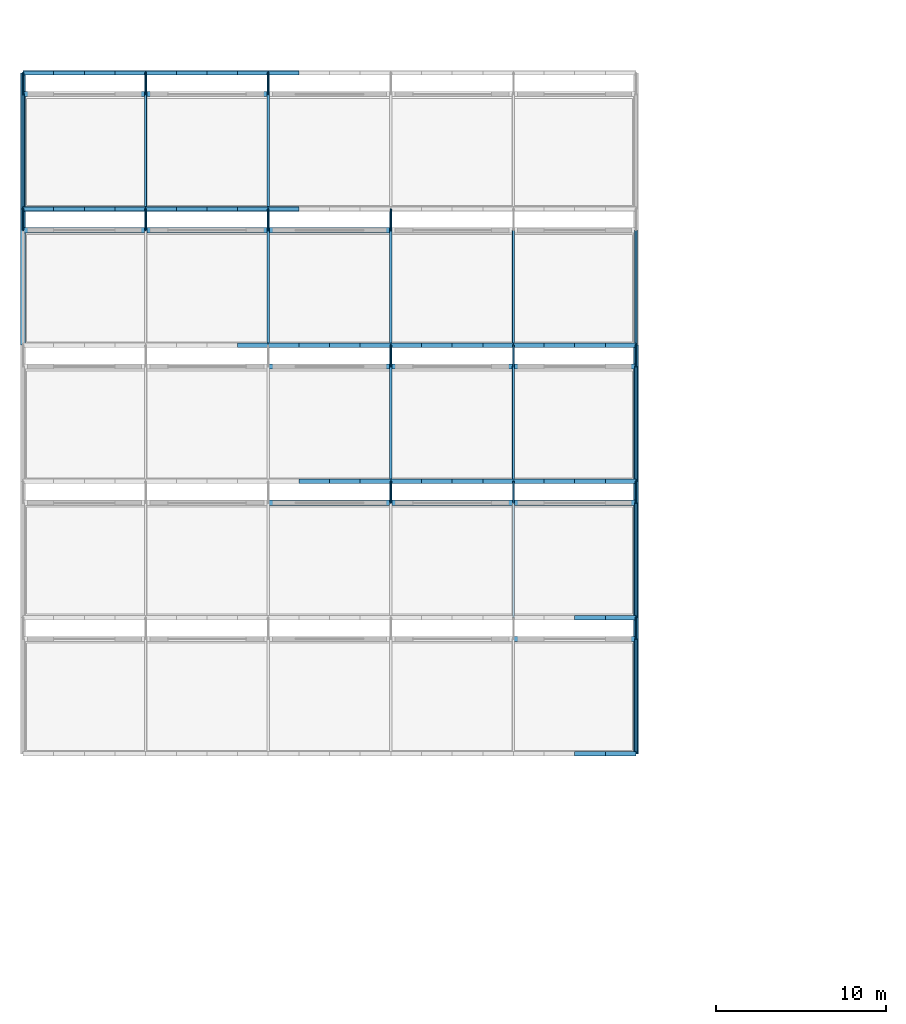
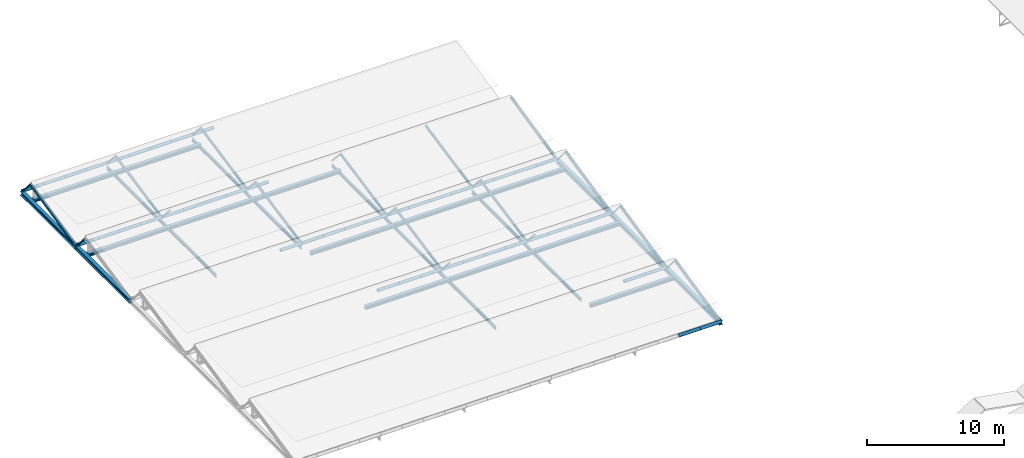
# One storey, part 33 of 54: 72 members, 26 beams.
"""IFC4 building model written with IfcOpenShell, lengths in metres."""

import ifcopenshell
import ifcopenshell.guid

model = None  # the IFC model being written
_history = None  # IfcOwnerHistory: only IFC2X3 demands one
_inside = {}  # id of a spatial element -> (the spatial element, [elements in it])
_under = {}  # id of a project, library or spatial element -> (it, [spatial elements below it])
_declared = {}  # id of a project -> (the project, [libraries it declares])
_typed = {}  # id of a type object -> (the type object, [elements of that type])
_made_of = {}  # id of a material, layer set ... -> (it, [elements and type objects made of it])


def new_model(schema):
    """Start an empty IFC model of exactly this schema.

    Asked for "IFC4X3", IfcOpenShell would pick the latest addendum, in which some entities
    have other attributes; the version numbers below select the first issue.
    IFC2X3 requires an IfcOwnerHistory on every rooted entity: one is made here for all.
    """
    global model, _history
    if schema == "IFC4X3":
        model = ifcopenshell.file(schema_version=(4, 3, 0, 0))
    else:
        model = ifcopenshell.file(schema=schema)
    _inside.clear()
    _under.clear()
    _declared.clear()
    _typed.clear()
    _made_of.clear()
    _history = None
    if model.schema == "IFC2X3":
        org = make("IfcOrganization", Name="unknown")
        user = make(
            "IfcPersonAndOrganization",
            ThePerson=make("IfcPerson", FamilyName="unknown"),
            TheOrganization=org,
        )
        app = make(
            "IfcApplication",
            ApplicationDeveloper=org,
            Version="unknown",
            ApplicationFullName="unknown",
            ApplicationIdentifier="unknown",
        )
        _history = make(
            "IfcOwnerHistory",
            OwningUser=user,
            OwningApplication=app,
            ChangeAction="ADDED",
            CreationDate=0,
        )
    return model


def make(cls, **values):
    """One entity of the class cls with the attributes given. An attribute that is None is left unset."""
    return model.create_entity(
        cls, **{name: value for name, value in values.items() if value is not None}
    )


def rooted(cls, **values):
    """An entity with a GlobalId (a new one), such as an element, a storey or a relation."""
    return make(cls, GlobalId=ifcopenshell.guid.new(), OwnerHistory=_history, **values)


def si_unit(unit_type, name, prefix=None):
    """IfcSIUnit, for example si_unit("LENGTHUNIT", "METRE", prefix="MILLI")."""
    return make("IfcSIUnit", UnitType=unit_type, Prefix=prefix, Name=name)


def derived_unit(unit_type, elements):
    """IfcDerivedUnit: a product of units, each with its exponent."""
    return make(
        "IfcDerivedUnit",
        Elements=[
            make("IfcDerivedUnitElement", Unit=unit, Exponent=power)
            for unit, power in elements
        ],
        UnitType=unit_type,
    )


def assignment(units):
    """IfcUnitAssignment: the units of a project."""
    return None if units is None else make("IfcUnitAssignment", Units=units)


def point(xyz):
    """IfcCartesianPoint."""
    return None if xyz is None else make("IfcCartesianPoint", Coordinates=xyz)


def direction(xyz):
    """IfcDirection."""
    return None if xyz is None else make("IfcDirection", DirectionRatios=xyz)


def frame(location, z_axis=None, x_axis=None):
    """IfcAxis2Placement3D, a coordinate frame: its origin and axes. An axis left out is left unset."""
    return make(
        "IfcAxis2Placement3D",
        Location=point(location),
        Axis=direction(z_axis),
        RefDirection=direction(x_axis),
    )


def frame_2d(location, x_axis=None):
    """IfcAxis2Placement2D, a coordinate frame in the plane: its origin and x axis."""
    return make(
        "IfcAxis2Placement2D", Location=point(location), RefDirection=direction(x_axis)
    )


def origin():
    """The frame at (0, 0, 0) with its axes left unset."""
    return frame((0.0, 0.0, 0.0))


def origin_2d():
    """The frame at (0, 0) in the plane with its x axis left unset."""
    return frame_2d((0.0, 0.0))


def place(relative_to, where):
    """IfcLocalPlacement: puts the frame where relative to a parent placement (None: the world)."""
    return make(
        "IfcLocalPlacement", PlacementRelTo=relative_to, RelativePlacement=where
    )


def context(
    kind, dimensions, precision=None, world=None, true_north=None, identifier=None
):
    """IfcGeometricRepresentationContext, for example the 3D "Model" context."""
    return make(
        "IfcGeometricRepresentationContext",
        ContextIdentifier=identifier,
        ContextType=kind,
        CoordinateSpaceDimension=dimensions,
        Precision=precision,
        WorldCoordinateSystem=world,
        TrueNorth=true_north,
    )


def subcontext(parent, identifier, kind, view, scale=None):
    """IfcGeometricRepresentationSubContext, for example "Body" below "Model"."""
    return make(
        "IfcGeometricRepresentationSubContext",
        ContextIdentifier=identifier,
        ContextType=kind,
        ParentContext=parent,
        TargetScale=scale,
        TargetView=view,
    )


def project(units=None, contexts=None):
    """IfcProject with its units and contexts."""
    return rooted(
        "IfcProject",
        Name="project",
        RepresentationContexts=contexts,
        UnitsInContext=assignment(units),
    )


def spatial(cls, under=None, at=None, **own):
    """A site, building, storey or space (cls), placed at a placement, below another one or the project."""
    s = rooted(cls, ObjectPlacement=at, **own)
    if under is not None:
        _under.setdefault(under.id(), (under, []))[1].append(s)
    return s


def profile(cls, at=None, kind="AREA", **sizes):
    """A parametric profile (cls). Its sizes go by their IFC names, for example OverallWidth=200.0."""
    return make(cls, ProfileType=kind, Position=at, **sizes)


def hollow_rectangle(**sizes):
    """IfcRectangleHollowProfileDef."""
    return profile("IfcRectangleHollowProfileDef", **sizes)


def hollow_circle(**sizes):
    """IfcCircleHollowProfileDef."""
    return profile("IfcCircleHollowProfileDef", **sizes)


def i_section(**sizes):
    """IfcIShapeProfileDef."""
    return profile("IfcIShapeProfileDef", **sizes)


def extrude(swept, where, along, depth):
    """IfcExtrudedAreaSolid: the profile swept, set in the frame where, extruded along a direction by depth."""
    return make(
        "IfcExtrudedAreaSolid",
        SweptArea=swept,
        Position=where,
        ExtrudedDirection=direction(along),
        Depth=depth,
    )


def shape(context_of_items, identifier, shape_type, items):
    """IfcShapeRepresentation: the items that make up one representation, for example the "Body"."""
    return make(
        "IfcShapeRepresentation",
        ContextOfItems=context_of_items,
        RepresentationIdentifier=identifier,
        RepresentationType=shape_type,
        Items=items,
    )


def material(Name=None, Category=None):
    """IfcMaterial."""
    return make("IfcMaterial", Name=Name, Category=Category)


def material_profile(
    of_material, cross_section, Name=None, Category=None, Priority=None
):
    """IfcMaterialProfile: a cross section and its material."""
    return make(
        "IfcMaterialProfile",
        Name=Name,
        Material=of_material,
        Profile=cross_section,
        Priority=Priority,
        Category=Category,
    )


def profile_set(profiles, Name=None, composite=None):
    """IfcMaterialProfileSet."""
    return make(
        "IfcMaterialProfileSet",
        Name=Name,
        MaterialProfiles=profiles,
        CompositeProfile=composite,
    )


def made_of(thing, what):
    """Note that an element or type object is made of a material, layer set ...; save() writes the relation."""
    if what is not None:
        _made_of.setdefault(what.id(), (what, []))[1].append(thing)
    return thing


def type_object(cls, material=None, **own):
    """A type object (cls), such as IfcWallType, which elements share."""
    return made_of(rooted(cls, **own), material)


def element(
    cls,
    number,
    at=None,
    inside=None,
    cuts=None,
    type_object=None,
    material=None,
    context=None,
    identifier="Body",
    shape_type=None,
    held_by="IfcProductDefinitionShape",
    body=None,
    shapes=None,
    **own,
):
    """One element of the class cls, such as IfcWall. Its Tag is "e" and its number.

    at: its placement. inside: the storey or other place that contains it. cuts: it is an
    opening in that element (IfcRelVoidsElement). A single representation is given by context,
    identifier, shape_type and body (its items); several are given by shapes. held_by: the class
    of the entity that holds the representations. save() writes the other relations.
    """
    e = rooted(cls, Tag="e%d" % number, ObjectPlacement=at, **own)
    if body is not None:
        shapes = [shape(context, identifier, shape_type, body)]
    if shapes is not None:
        e.Representation = make(held_by, Representations=shapes)
    if inside is not None:
        _inside.setdefault(inside.id(), (inside, []))[1].append(e)
    if cuts is not None:
        rooted(
            "IfcRelVoidsElement", RelatingBuildingElement=cuts, RelatedOpeningElement=e
        )
    if type_object is not None:
        _typed.setdefault(type_object.id(), (type_object, []))[1].append(e)
    return made_of(e, material)


def aggregate(whole, parts):
    """IfcRelAggregates: a whole, such as a stair, and the parts it consists of."""
    return rooted("IfcRelAggregates", RelatingObject=whole, RelatedObjects=parts)


def save(model, path):
    """Write the relations noted so far, then the file.

    IfcRelAggregates (storeys below a building ...), IfcRelContainedInSpatialStructure (elements
    in a storey), IfcRelDefinesByType, IfcRelAssociatesMaterial and IfcRelDeclares: one each for
    every whole, place, type object, material and project.
    """
    for whole, parts in _under.values():
        aggregate(whole, parts)
    for where, things in _inside.values():
        rooted(
            "IfcRelContainedInSpatialStructure",
            RelatedElements=things,
            RelatingStructure=where,
        )
    for kind, things in _typed.values():
        rooted("IfcRelDefinesByType", RelatedObjects=things, RelatingType=kind)
    for what, things in _made_of.values():
        rooted("IfcRelAssociatesMaterial", RelatedObjects=things, RelatingMaterial=what)
    for by, libraries in _declared.values():
        rooted("IfcRelDeclares", RelatingContext=by, RelatedDefinitions=libraries)
    model.write(path)


model = new_model("IFC4")

# Units and contexts
model_context = context("Model", 3, precision=1e-05, world=origin(), true_north=direction((0.0, 1.0)))
body_context = subcontext(model_context, "Body", "Model", "MODEL_VIEW")
ifc_project = project(units=[si_unit("LENGTHUNIT", "METRE"), si_unit("AREAUNIT", "SQUARE_METRE"), si_unit("VOLUMEUNIT", "CUBIC_METRE"), si_unit("PLANEANGLEUNIT", "RADIAN"), si_unit("MASSUNIT", "GRAM", prefix="KILO"), derived_unit("THERMALTRANSMITTANCEUNIT", [(si_unit("POWERUNIT", "WATT"), 1), (si_unit("LENGTHUNIT", "METRE"), -2), (si_unit("THERMODYNAMICTEMPERATUREUNIT", "KELVIN"), -1)])], contexts=[model_context])

# Site, building, storey
site_placement = place(None, origin())
site = spatial("IfcSite", under=ifc_project, at=site_placement, CompositionType="ELEMENT")
building_placement = place(site_placement, origin())
building = spatial("IfcBuilding", under=site, at=building_placement, Name="Keldorne Ridge Multi-Sports Centre", CompositionType="ELEMENT")
storey_placement = place(building_placement, frame((0.0, 0.0, 22.199951171875)))
storey = spatial("IfcBuildingStorey", under=building, at=storey_placement, Name="ROOF", CompositionType="ELEMENT", Elevation=22.199951171875)

# Beams
ifc_material = material(Name="Steel S355", Category="steel")
ifc_material_profile_1 = material_profile(ifc_material, i_section(OverallWidth=0.135009765625, OverallDepth=0.27001953125, WebThickness=0.006591796875, FlangeThickness=0.01025390625, FilletRadius=0.014892578125, at=origin_2d()), Name="IPE 270")
ifc_profile_set_1 = profile_set([ifc_material_profile_1], Name="Steel S355")
beam_type_1 = type_object("IfcBeamType", Name="BM-J-03", PredefinedType="JOIST", material=ifc_profile_set_1)
for number, where, z_axis, x_axis, name in (
    (1, (27.60009765625, 82.0, -6.429931640625), (0.0, 1.0, 0.0), (-1.0, 0.0, 0.0), "Sawtooth bay tie beam 2.4"),
    (2, (34.800048828125, 82.0, -6.429931640625), (0.0, 1.0, 0.0), (-1.0, 0.0, 0.0), "Sawtooth bay tie beam 2.5"),
    (3, (27.60009765625, 90.0, -6.429931640625), (0.0, 1.0, 0.0), (-1.0, 0.0, 0.0), "Sawtooth bay tie beam 3.4"),
    (4, (34.800048828125, 90.0, -6.429931640625), (0.0, 1.0, 0.0), (-1.0, 0.0, 0.0), "Sawtooth bay tie beam 3.5"),
    (5, (13.199951171875, 98.0, -6.429931640625), (0.0, 1.0, 0.0), (-1.0, 0.0, 0.0), "Sawtooth bay tie beam 4.2"),
    (6, (20.39990234375, 98.0, -6.429931640625), (0.0, 1.0, 0.0), (-1.0, 0.0, 0.0), "Sawtooth bay tie beam 4.3"),
    (7, (27.60009765625, 98.0, -6.429931640625), (0.0, 1.0, 0.0), (-1.0, 0.0, 0.0), "Sawtooth bay tie beam 4.4"),
    (8, (13.199951171875, 106.0, -6.429931640625), (0.0, 1.0, 0.0), (-1.0, 0.0, 0.0), "Sawtooth bay tie beam 5.2"),
    (9, (20.39990234375, 106.0, -6.429931640625), (0.0, 1.0, 0.0), (-1.0, 0.0, 0.0), "Sawtooth bay tie beam 5.3"),
):
    element("IfcBeam", number, at=place(storey_placement, frame(where, z_axis=z_axis, x_axis=x_axis)), inside=storey, type_object=beam_type_1, Name=name, PredefinedType="JOIST", context=body_context, shape_type="SweptSolid", body=[
        extrude(i_section(OverallWidth=0.135009765625, OverallDepth=0.27001953125, WebThickness=0.006591796875, FlangeThickness=0.01025390625, FilletRadius=0.014892578125, at=origin_2d()), origin(), (0.0, 0.0, 1.0), 8.0),
    ])
ifc_material_profile_2 = material_profile(ifc_material, i_section(OverallWidth=0.300048828125, OverallDepth=0.35009765625, WebThickness=0.010009765625, FlangeThickness=0.017578125, FilletRadius=0.027099609375, at=origin_2d()), Name="HEA 360")
ifc_profile_set_2 = profile_set([ifc_material_profile_2], Name="Steel S355")
beam_type_2 = type_object("IfcBeamType", Name="BM-SP-03", PredefinedType="SPANDREL", material=ifc_profile_set_2)
for number, where, z_axis, x_axis, name in (
    (10, (42.0, 74.0, -6.14990234375), (0.0, 1.0, 0.0), (-1.0, 0.0, 0.0), "Climbing roof edge beam 42.1"),
    (11, (42.0, 82.0, -6.14990234375), (0.0, 1.0, 0.0), (-1.0, 0.0, 0.0), "Climbing roof edge beam 42.2"),
    (12, (42.0, 90.0, -6.14990234375), (0.0, 1.0, 0.0), (-1.0, 0.0, 0.0), "Climbing roof edge beam 42.3"),
    (13, (6.0, 98.0, -6.14990234375), (0.0, 1.0, 0.0), (-1.0, 0.0, 0.0), "Climbing roof edge beam 6.4"),
    (14, (6.0, 106.0, -6.14990234375), (0.0, 1.0, 0.0), (-1.0, 0.0, 0.0), "Climbing roof edge beam 6.5"),
):
    element("IfcBeam", number, at=place(storey_placement, frame(where, z_axis=z_axis, x_axis=x_axis)), inside=storey, type_object=beam_type_2, Name=name, PredefinedType="SPANDREL", context=body_context, shape_type="SweptSolid", body=[
        extrude(i_section(OverallWidth=0.300048828125, OverallDepth=0.35009765625, WebThickness=0.010009765625, FlangeThickness=0.017578125, FilletRadius=0.027099609375, at=origin_2d()), origin(), (0.0, 0.0, 1.0), 8.0),
    ])
ifc_material_profile_3 = material_profile(ifc_material, i_section(OverallWidth=0.300048828125, OverallDepth=0.2900390625, WebThickness=0.008544921875, FlangeThickness=0.013916015625, FilletRadius=0.027099609375, at=origin_2d()), Name="HEA 300")
ifc_profile_set_3 = profile_set([ifc_material_profile_3], Name="Steel S355")
beam_type_3 = type_object("IfcBeamType", Name="BM-SP-04", PredefinedType="SPANDREL", material=ifc_profile_set_3)
beam_1_placement = place(storey_placement, frame((34.800048828125, 80.75, -6.14990234375), z_axis=(1.0, 0.0, 0.0), x_axis=(0.0, 1.0, 0.0)))
element("IfcBeam", 15, at=beam_1_placement, inside=storey, type_object=beam_type_3, Name="Sawtooth monitor sill beam 1.5", PredefinedType="SPANDREL", context=body_context, shape_type="SweptSolid", body=[
    extrude(i_section(OverallWidth=0.300048828125, OverallDepth=0.2900390625, WebThickness=0.008544921875, FlangeThickness=0.013916015625, FilletRadius=0.027099609375, at=origin_2d()), origin(), (0.0, 0.0, 1.0), 7.199951171875),
])
beam_2_placement = place(storey_placement, frame((20.39990234375, 88.75, -6.14990234375), z_axis=(1.0, 0.0, 0.0), x_axis=(0.0, 1.0, 0.0)))
element("IfcBeam", 16, at=beam_2_placement, inside=storey, type_object=beam_type_3, Name="Sawtooth monitor sill beam 2.3", PredefinedType="SPANDREL", context=body_context, shape_type="SweptSolid", body=[
    extrude(i_section(OverallWidth=0.300048828125, OverallDepth=0.2900390625, WebThickness=0.008544921875, FlangeThickness=0.013916015625, FilletRadius=0.027099609375, at=origin_2d()), origin(), (0.0, 0.0, 1.0), 7.2001953125),
])
for number, where, z_axis, x_axis, name in (
    (17, (27.60009765625, 88.75, -6.14990234375), (1.0, 0.0, 0.0), (0.0, 1.0, 0.0), "Sawtooth monitor sill beam 2.4"),
    (18, (34.800048828125, 88.75, -6.14990234375), (1.0, 0.0, 0.0), (0.0, 1.0, 0.0), "Sawtooth monitor sill beam 2.5"),
):
    element("IfcBeam", number, at=place(storey_placement, frame(where, z_axis=z_axis, x_axis=x_axis)), inside=storey, type_object=beam_type_3, Name=name, PredefinedType="SPANDREL", context=body_context, shape_type="SweptSolid", body=[
        extrude(i_section(OverallWidth=0.300048828125, OverallDepth=0.2900390625, WebThickness=0.008544921875, FlangeThickness=0.013916015625, FilletRadius=0.027099609375, at=origin_2d()), origin(), (0.0, 0.0, 1.0), 7.199951171875),
    ])
beam_3_placement = place(storey_placement, frame((20.39990234375, 96.75, -6.14990234375), z_axis=(1.0, 0.0, 0.0), x_axis=(0.0, 1.0, 0.0)))
element("IfcBeam", 19, at=beam_3_placement, inside=storey, type_object=beam_type_3, Name="Sawtooth monitor sill beam 3.3", PredefinedType="SPANDREL", context=body_context, shape_type="SweptSolid", body=[
    extrude(i_section(OverallWidth=0.300048828125, OverallDepth=0.2900390625, WebThickness=0.008544921875, FlangeThickness=0.013916015625, FilletRadius=0.027099609375, at=origin_2d()), origin(), (0.0, 0.0, 1.0), 7.2001953125),
])
for number, where, z_axis, x_axis, name in (
    (20, (27.60009765625, 96.75, -6.14990234375), (1.0, 0.0, 0.0), (0.0, 1.0, 0.0), "Sawtooth monitor sill beam 3.4"),
    (21, (34.800048828125, 96.75, -6.14990234375), (1.0, 0.0, 0.0), (0.0, 1.0, 0.0), "Sawtooth monitor sill beam 3.5"),
    (22, (6.0, 104.75, -6.14990234375), (1.0, 0.0, 0.0), (0.0, 1.0, 0.0), "Sawtooth monitor sill beam 4.1"),
    (23, (13.199951171875, 104.75, -6.14990234375), (1.0, 0.0, 0.0), (0.0, 1.0, 0.0), "Sawtooth monitor sill beam 4.2"),
):
    element("IfcBeam", number, at=place(storey_placement, frame(where, z_axis=z_axis, x_axis=x_axis)), inside=storey, type_object=beam_type_3, Name=name, PredefinedType="SPANDREL", context=body_context, shape_type="SweptSolid", body=[
        extrude(i_section(OverallWidth=0.300048828125, OverallDepth=0.2900390625, WebThickness=0.008544921875, FlangeThickness=0.013916015625, FilletRadius=0.027099609375, at=origin_2d()), origin(), (0.0, 0.0, 1.0), 7.199951171875),
    ])
beam_4_placement = place(storey_placement, frame((20.39990234375, 104.75, -6.14990234375), z_axis=(1.0, 0.0, 0.0), x_axis=(0.0, 1.0, 0.0)))
element("IfcBeam", 24, at=beam_4_placement, inside=storey, type_object=beam_type_3, Name="Sawtooth monitor sill beam 4.3", PredefinedType="SPANDREL", context=body_context, shape_type="SweptSolid", body=[
    extrude(i_section(OverallWidth=0.300048828125, OverallDepth=0.2900390625, WebThickness=0.008544921875, FlangeThickness=0.013916015625, FilletRadius=0.027099609375, at=origin_2d()), origin(), (0.0, 0.0, 1.0), 7.2001953125),
])
for number, where, z_axis, x_axis, name in (
    (25, (6.0, 112.75, -6.14990234375), (1.0, 0.0, 0.0), (0.0, 1.0, 0.0), "Sawtooth monitor sill beam 5.1"),
    (26, (13.199951171875, 112.75, -6.14990234375), (1.0, 0.0, 0.0), (0.0, 1.0, 0.0), "Sawtooth monitor sill beam 5.2"),
):
    element("IfcBeam", number, at=place(storey_placement, frame(where, z_axis=z_axis, x_axis=x_axis)), inside=storey, type_object=beam_type_3, Name=name, PredefinedType="SPANDREL", context=body_context, shape_type="SweptSolid", body=[
        extrude(i_section(OverallWidth=0.300048828125, OverallDepth=0.2900390625, WebThickness=0.008544921875, FlangeThickness=0.013916015625, FilletRadius=0.027099609375, at=origin_2d()), origin(), (0.0, 0.0, 1.0), 7.199951171875),
    ])

# Members
ifc_material_profile_4 = material_profile(ifc_material, hollow_rectangle(XDim=0.14990234375, YDim=0.199951171875, WallThickness=0.010009765625, InnerFilletRadius=0.010009765625, OuterFilletRadius=0.02001953125, at=origin_2d()), Name="RHS 200x150x10")
ifc_profile_set_4 = profile_set([ifc_material_profile_4], Name="Steel S355")
member_type_1 = type_object("IfcMemberType", Name="MEM-RF-01", PredefinedType="RAFTER", material=ifc_profile_set_4)
for number, where, z_axis, x_axis, name in (
    (27, (42.0, 74.0, -6.14990234375), (0.0, 0.976187060184, 0.216930457819), (-1.0, 0.0, 0.0), "Sawtooth raked rafter 1.6"),
    (28, (42.0, 82.0, -6.14990234375), (0.0, 0.976187060184, 0.216930457819), (-1.0, 0.0, 0.0), "Sawtooth raked rafter 2.6"),
):
    element("IfcMember", number, at=place(storey_placement, frame(where, z_axis=z_axis, x_axis=x_axis)), inside=storey, type_object=member_type_1, Name=name, PredefinedType="RAFTER", context=body_context, shape_type="SweptSolid", body=[
        extrude(hollow_rectangle(XDim=0.14990234375, YDim=0.199951171875, WallThickness=0.010009765625, InnerFilletRadius=0.010009765625, OuterFilletRadius=0.02001953125, at=origin_2d()), origin(), (0.0, 0.0, 1.0), 6.91455078125),
    ])
for number, where, z_axis, x_axis, name in (
    (29, (27.60009765625, 90.0, -6.02001953125), (0.0, 0.980014968918, 0.198923755988), (-1.0, 0.0, 0.0), "Sawtooth raked rafter 3.4"),
    (30, (34.800048828125, 90.0, -6.02001953125), (0.0, 0.980014968918, 0.198923755988), (-1.0, 0.0, 0.0), "Sawtooth raked rafter 3.5"),
):
    element("IfcMember", number, at=place(storey_placement, frame(where, z_axis=z_axis, x_axis=x_axis)), inside=storey, type_object=member_type_1, Name=name, PredefinedType="RAFTER", context=body_context, shape_type="SweptSolid", body=[
        extrude(hollow_rectangle(XDim=0.14990234375, YDim=0.199951171875, WallThickness=0.010009765625, InnerFilletRadius=0.010009765625, OuterFilletRadius=0.02001953125, at=origin_2d()), origin(), (0.0, 0.0, 1.0), 6.8876953125),
    ])
member_1_placement = place(storey_placement, frame((42.0, 90.0, -6.14990234375), z_axis=(0.0, 0.976187060184, 0.216930457819), x_axis=(-1.0, 0.0, 0.0)))
element("IfcMember", 31, at=member_1_placement, inside=storey, type_object=member_type_1, Name="Sawtooth raked rafter 3.6", PredefinedType="RAFTER", context=body_context, shape_type="SweptSolid", body=[
    extrude(hollow_rectangle(XDim=0.14990234375, YDim=0.199951171875, WallThickness=0.010009765625, InnerFilletRadius=0.010009765625, OuterFilletRadius=0.02001953125, at=origin_2d()), origin(), (0.0, 0.0, 1.0), 6.91455078125),
])
for number, where, z_axis, x_axis, name in (
    (32, (20.39990234375, 98.0, -6.02001953125), (0.0, 0.980014968918, 0.198923755988), (-1.0, 0.0, 0.0), "Sawtooth raked rafter 4.3"),
    (33, (27.60009765625, 98.0, -6.02001953125), (0.0, 0.980014968918, 0.198923755988), (-1.0, 0.0, 0.0), "Sawtooth raked rafter 4.4"),
    (34, (34.800048828125, 98.0, -6.02001953125), (0.0, 0.980014968918, 0.198923755988), (-1.0, 0.0, 0.0), "Sawtooth raked rafter 4.5"),
):
    element("IfcMember", number, at=place(storey_placement, frame(where, z_axis=z_axis, x_axis=x_axis)), inside=storey, type_object=member_type_1, Name=name, PredefinedType="RAFTER", context=body_context, shape_type="SweptSolid", body=[
        extrude(hollow_rectangle(XDim=0.14990234375, YDim=0.199951171875, WallThickness=0.010009765625, InnerFilletRadius=0.010009765625, OuterFilletRadius=0.02001953125, at=origin_2d()), origin(), (0.0, 0.0, 1.0), 6.8876953125),
    ])
for number, where, z_axis, x_axis, name in (
    (35, (42.0, 98.0, -6.14990234375), (0.0, 0.976187060184, 0.216930457819), (-1.0, 0.0, 0.0), "Sawtooth raked rafter 4.6"),
    (36, (6.0, 106.0, -6.14990234375), (0.0, 0.976187060184, 0.216930457819), (-1.0, 0.0, 0.0), "Sawtooth raked rafter 5.1"),
):
    element("IfcMember", number, at=place(storey_placement, frame(where, z_axis=z_axis, x_axis=x_axis)), inside=storey, type_object=member_type_1, Name=name, PredefinedType="RAFTER", context=body_context, shape_type="SweptSolid", body=[
        extrude(hollow_rectangle(XDim=0.14990234375, YDim=0.199951171875, WallThickness=0.010009765625, InnerFilletRadius=0.010009765625, OuterFilletRadius=0.02001953125, at=origin_2d()), origin(), (0.0, 0.0, 1.0), 6.91455078125),
    ])
for number, where, z_axis, x_axis, name in (
    (37, (13.199951171875, 106.0, -6.02001953125), (0.0, 0.980014968918, 0.198923755988), (-1.0, 0.0, 0.0), "Sawtooth raked rafter 5.2"),
    (38, (20.39990234375, 106.0, -6.02001953125), (0.0, 0.980014968918, 0.198923755988), (-1.0, 0.0, 0.0), "Sawtooth raked rafter 5.3"),
):
    element("IfcMember", number, at=place(storey_placement, frame(where, z_axis=z_axis, x_axis=x_axis)), inside=storey, type_object=member_type_1, Name=name, PredefinedType="RAFTER", context=body_context, shape_type="SweptSolid", body=[
        extrude(hollow_rectangle(XDim=0.14990234375, YDim=0.199951171875, WallThickness=0.010009765625, InnerFilletRadius=0.010009765625, OuterFilletRadius=0.02001953125, at=origin_2d()), origin(), (0.0, 0.0, 1.0), 6.8876953125),
    ])
ifc_material_profile_5 = material_profile(ifc_material, hollow_circle(Radius=0.136474609375, WallThickness=0.012451171875, at=origin_2d()), Name="CHS 273x12.5")
ifc_profile_set_5 = profile_set([ifc_material_profile_5], Name="Steel S355")
member_type_2 = type_object("IfcMemberType", Name="MEM-TC-05", PredefinedType="CHORD", material=ifc_profile_set_5)
for number, where, z_axis, x_axis, name in (
    (39, (38.39990234375, 74.0, -6.02001953125), (1.0, 0.0, 0.0), (0.0, 1.0, 0.0), "Climbing sawtooth ROOF TRUSS ST-01 top chord 19"),
    (40, (40.199951171875, 74.0, -6.02001953125), (1.0, 0.0, 0.0), (0.0, 1.0, 0.0), "Climbing sawtooth ROOF TRUSS ST-01 top chord 20"),
    (41, (38.39990234375, 82.0, -6.02001953125), (1.0, 0.0, 0.0), (0.0, 1.0, 0.0), "Climbing sawtooth ROOF TRUSS ST-02 top chord 19"),
    (42, (40.199951171875, 82.0, -6.02001953125), (1.0, 0.0, 0.0), (0.0, 1.0, 0.0), "Climbing sawtooth ROOF TRUSS ST-02 top chord 20"),
    (43, (22.199951171875, 90.0, -6.02001953125), (1.0, 0.0, 0.0), (0.0, 1.0, 0.0), "Climbing sawtooth ROOF TRUSS ST-03 top chord 10"),
    (44, (24.0, 90.0, -6.02001953125), (1.0, 0.0, 0.0), (0.0, 1.0, 0.0), "Climbing sawtooth ROOF TRUSS ST-03 top chord 11"),
    (45, (25.800048828125, 90.0, -6.02001953125), (1.0, 0.0, 0.0), (0.0, 1.0, 0.0), "Climbing sawtooth ROOF TRUSS ST-03 top chord 12"),
):
    element("IfcMember", number, at=place(storey_placement, frame(where, z_axis=z_axis, x_axis=x_axis)), inside=storey, type_object=member_type_2, Name=name, PredefinedType="CHORD", context=body_context, shape_type="SweptSolid", body=[
        extrude(hollow_circle(Radius=0.136474609375, WallThickness=0.012451171875, at=origin_2d()), origin(), (0.0, 0.0, 1.0), 1.800048828125),
    ])
member_2_placement = place(storey_placement, frame((27.60009765625, 90.0, -6.02001953125), z_axis=(1.0, 0.0, 0.0), x_axis=(0.0, 1.0, 0.0)))
element("IfcMember", 46, at=member_2_placement, inside=storey, type_object=member_type_2, Name="Climbing sawtooth ROOF TRUSS ST-03 top chord 13", PredefinedType="CHORD", context=body_context, shape_type="SweptSolid", body=[
    extrude(hollow_circle(Radius=0.136474609375, WallThickness=0.012451171875, at=origin_2d()), origin(), (0.0, 0.0, 1.0), 1.7998046875),
])
for number, where, z_axis, x_axis, name in (
    (47, (29.39990234375, 90.0, -6.02001953125), (1.0, 0.0, 0.0), (0.0, 1.0, 0.0), "Climbing sawtooth ROOF TRUSS ST-03 top chord 14"),
    (48, (31.199951171875, 90.0, -6.02001953125), (1.0, 0.0, 0.0), (0.0, 1.0, 0.0), "Climbing sawtooth ROOF TRUSS ST-03 top chord 15"),
    (49, (33.0, 90.0, -6.02001953125), (1.0, 0.0, 0.0), (0.0, 1.0, 0.0), "Climbing sawtooth ROOF TRUSS ST-03 top chord 16"),
    (50, (34.800048828125, 90.0, -6.02001953125), (1.0, 0.0, 0.0), (0.0, 1.0, 0.0), "Climbing sawtooth ROOF TRUSS ST-03 top chord 17"),
):
    element("IfcMember", number, at=place(storey_placement, frame(where, z_axis=z_axis, x_axis=x_axis)), inside=storey, type_object=member_type_2, Name=name, PredefinedType="CHORD", context=body_context, shape_type="SweptSolid", body=[
        extrude(hollow_circle(Radius=0.136474609375, WallThickness=0.012451171875, at=origin_2d()), origin(), (0.0, 0.0, 1.0), 1.800048828125),
    ])
member_3_placement = place(storey_placement, frame((36.60009765625, 90.0, -6.02001953125), z_axis=(1.0, 0.0, 0.0), x_axis=(0.0, 1.0, 0.0)))
element("IfcMember", 51, at=member_3_placement, inside=storey, type_object=member_type_2, Name="Climbing sawtooth ROOF TRUSS ST-03 top chord 18", PredefinedType="CHORD", context=body_context, shape_type="SweptSolid", body=[
    extrude(hollow_circle(Radius=0.136474609375, WallThickness=0.012451171875, at=origin_2d()), origin(), (0.0, 0.0, 1.0), 1.7998046875),
])
for number, where, z_axis, x_axis, name in (
    (52, (38.39990234375, 90.0, -6.02001953125), (1.0, 0.0, 0.0), (0.0, 1.0, 0.0), "Climbing sawtooth ROOF TRUSS ST-03 top chord 19"),
    (53, (40.199951171875, 90.0, -6.02001953125), (1.0, 0.0, 0.0), (0.0, 1.0, 0.0), "Climbing sawtooth ROOF TRUSS ST-03 top chord 20"),
):
    element("IfcMember", number, at=place(storey_placement, frame(where, z_axis=z_axis, x_axis=x_axis)), inside=storey, type_object=member_type_2, Name=name, PredefinedType="CHORD", context=body_context, shape_type="SweptSolid", body=[
        extrude(hollow_circle(Radius=0.136474609375, WallThickness=0.012451171875, at=origin_2d()), origin(), (0.0, 0.0, 1.0), 1.800048828125),
    ])
member_4_placement = place(storey_placement, frame((18.60009765625, 98.0, -6.02001953125), z_axis=(1.0, 0.0, 0.0), x_axis=(0.0, 1.0, 0.0)))
element("IfcMember", 54, at=member_4_placement, inside=storey, type_object=member_type_2, Name="Climbing sawtooth ROOF TRUSS ST-04 top chord 8", PredefinedType="CHORD", context=body_context, shape_type="SweptSolid", body=[
    extrude(hollow_circle(Radius=0.136474609375, WallThickness=0.012451171875, at=origin_2d()), origin(), (0.0, 0.0, 1.0), 1.7998046875),
])
for number, where, z_axis, x_axis, name in (
    (55, (20.39990234375, 98.0, -6.02001953125), (1.0, 0.0, 0.0), (0.0, 1.0, 0.0), "Climbing sawtooth ROOF TRUSS ST-04 top chord 9"),
    (56, (22.199951171875, 98.0, -6.02001953125), (1.0, 0.0, 0.0), (0.0, 1.0, 0.0), "Climbing sawtooth ROOF TRUSS ST-04 top chord 10"),
    (57, (24.0, 98.0, -6.02001953125), (1.0, 0.0, 0.0), (0.0, 1.0, 0.0), "Climbing sawtooth ROOF TRUSS ST-04 top chord 11"),
    (58, (25.800048828125, 98.0, -6.02001953125), (1.0, 0.0, 0.0), (0.0, 1.0, 0.0), "Climbing sawtooth ROOF TRUSS ST-04 top chord 12"),
):
    element("IfcMember", number, at=place(storey_placement, frame(where, z_axis=z_axis, x_axis=x_axis)), inside=storey, type_object=member_type_2, Name=name, PredefinedType="CHORD", context=body_context, shape_type="SweptSolid", body=[
        extrude(hollow_circle(Radius=0.136474609375, WallThickness=0.012451171875, at=origin_2d()), origin(), (0.0, 0.0, 1.0), 1.800048828125),
    ])
member_5_placement = place(storey_placement, frame((27.60009765625, 98.0, -6.02001953125), z_axis=(1.0, 0.0, 0.0), x_axis=(0.0, 1.0, 0.0)))
element("IfcMember", 59, at=member_5_placement, inside=storey, type_object=member_type_2, Name="Climbing sawtooth ROOF TRUSS ST-04 top chord 13", PredefinedType="CHORD", context=body_context, shape_type="SweptSolid", body=[
    extrude(hollow_circle(Radius=0.136474609375, WallThickness=0.012451171875, at=origin_2d()), origin(), (0.0, 0.0, 1.0), 1.7998046875),
])
for number, where, z_axis, x_axis, name in (
    (60, (29.39990234375, 98.0, -6.02001953125), (1.0, 0.0, 0.0), (0.0, 1.0, 0.0), "Climbing sawtooth ROOF TRUSS ST-04 top chord 14"),
    (61, (31.199951171875, 98.0, -6.02001953125), (1.0, 0.0, 0.0), (0.0, 1.0, 0.0), "Climbing sawtooth ROOF TRUSS ST-04 top chord 15"),
    (62, (33.0, 98.0, -6.02001953125), (1.0, 0.0, 0.0), (0.0, 1.0, 0.0), "Climbing sawtooth ROOF TRUSS ST-04 top chord 16"),
    (63, (34.800048828125, 98.0, -6.02001953125), (1.0, 0.0, 0.0), (0.0, 1.0, 0.0), "Climbing sawtooth ROOF TRUSS ST-04 top chord 17"),
):
    element("IfcMember", number, at=place(storey_placement, frame(where, z_axis=z_axis, x_axis=x_axis)), inside=storey, type_object=member_type_2, Name=name, PredefinedType="CHORD", context=body_context, shape_type="SweptSolid", body=[
        extrude(hollow_circle(Radius=0.136474609375, WallThickness=0.012451171875, at=origin_2d()), origin(), (0.0, 0.0, 1.0), 1.800048828125),
    ])
member_6_placement = place(storey_placement, frame((36.60009765625, 98.0, -6.02001953125), z_axis=(1.0, 0.0, 0.0), x_axis=(0.0, 1.0, 0.0)))
element("IfcMember", 64, at=member_6_placement, inside=storey, type_object=member_type_2, Name="Climbing sawtooth ROOF TRUSS ST-04 top chord 18", PredefinedType="CHORD", context=body_context, shape_type="SweptSolid", body=[
    extrude(hollow_circle(Radius=0.136474609375, WallThickness=0.012451171875, at=origin_2d()), origin(), (0.0, 0.0, 1.0), 1.7998046875),
])
for number, where, z_axis, x_axis, name in (
    (65, (38.39990234375, 98.0, -6.02001953125), (1.0, 0.0, 0.0), (0.0, 1.0, 0.0), "Climbing sawtooth ROOF TRUSS ST-04 top chord 19"),
    (66, (40.199951171875, 98.0, -6.02001953125), (1.0, 0.0, 0.0), (0.0, 1.0, 0.0), "Climbing sawtooth ROOF TRUSS ST-04 top chord 20"),
    (67, (6.0, 106.0, -6.02001953125), (1.0, 0.0, 0.0), (0.0, 1.0, 0.0), "Climbing sawtooth ROOF TRUSS ST-05 top chord 1"),
    (68, (7.800048828125, 106.0, -6.02001953125), (1.0, 0.0, 0.0), (0.0, 1.0, 0.0), "Climbing sawtooth ROOF TRUSS ST-05 top chord 2"),
):
    element("IfcMember", number, at=place(storey_placement, frame(where, z_axis=z_axis, x_axis=x_axis)), inside=storey, type_object=member_type_2, Name=name, PredefinedType="CHORD", context=body_context, shape_type="SweptSolid", body=[
        extrude(hollow_circle(Radius=0.136474609375, WallThickness=0.012451171875, at=origin_2d()), origin(), (0.0, 0.0, 1.0), 1.800048828125),
    ])
member_7_placement = place(storey_placement, frame((9.60009765625, 106.0, -6.02001953125), z_axis=(1.0, 0.0, 0.0), x_axis=(0.0, 1.0, 0.0)))
element("IfcMember", 69, at=member_7_placement, inside=storey, type_object=member_type_2, Name="Climbing sawtooth ROOF TRUSS ST-05 top chord 3", PredefinedType="CHORD", context=body_context, shape_type="SweptSolid", body=[
    extrude(hollow_circle(Radius=0.136474609375, WallThickness=0.012451171875, at=origin_2d()), origin(), (0.0, 0.0, 1.0), 1.7998046875),
])
for number, where, z_axis, x_axis, name in (
    (70, (11.39990234375, 106.0, -6.02001953125), (1.0, 0.0, 0.0), (0.0, 1.0, 0.0), "Climbing sawtooth ROOF TRUSS ST-05 top chord 4"),
    (71, (13.199951171875, 106.0, -6.02001953125), (1.0, 0.0, 0.0), (0.0, 1.0, 0.0), "Climbing sawtooth ROOF TRUSS ST-05 top chord 5"),
    (72, (15.0, 106.0, -6.02001953125), (1.0, 0.0, 0.0), (0.0, 1.0, 0.0), "Climbing sawtooth ROOF TRUSS ST-05 top chord 6"),
    (73, (16.800048828125, 106.0, -6.02001953125), (1.0, 0.0, 0.0), (0.0, 1.0, 0.0), "Climbing sawtooth ROOF TRUSS ST-05 top chord 7"),
):
    element("IfcMember", number, at=place(storey_placement, frame(where, z_axis=z_axis, x_axis=x_axis)), inside=storey, type_object=member_type_2, Name=name, PredefinedType="CHORD", context=body_context, shape_type="SweptSolid", body=[
        extrude(hollow_circle(Radius=0.136474609375, WallThickness=0.012451171875, at=origin_2d()), origin(), (0.0, 0.0, 1.0), 1.800048828125),
    ])
member_8_placement = place(storey_placement, frame((18.60009765625, 106.0, -6.02001953125), z_axis=(1.0, 0.0, 0.0), x_axis=(0.0, 1.0, 0.0)))
element("IfcMember", 74, at=member_8_placement, inside=storey, type_object=member_type_2, Name="Climbing sawtooth ROOF TRUSS ST-05 top chord 8", PredefinedType="CHORD", context=body_context, shape_type="SweptSolid", body=[
    extrude(hollow_circle(Radius=0.136474609375, WallThickness=0.012451171875, at=origin_2d()), origin(), (0.0, 0.0, 1.0), 1.7998046875),
])
for number, where, z_axis, x_axis, name in (
    (75, (20.39990234375, 106.0, -6.02001953125), (1.0, 0.0, 0.0), (0.0, 1.0, 0.0), "Climbing sawtooth ROOF TRUSS ST-05 top chord 9"),
    (76, (6.0, 114.0, -6.02001953125), (1.0, 0.0, 0.0), (0.0, 1.0, 0.0), "Climbing sawtooth ROOF TRUSS ST-06 top chord 1"),
    (77, (7.800048828125, 114.0, -6.02001953125), (1.0, 0.0, 0.0), (0.0, 1.0, 0.0), "Climbing sawtooth ROOF TRUSS ST-06 top chord 2"),
):
    element("IfcMember", number, at=place(storey_placement, frame(where, z_axis=z_axis, x_axis=x_axis)), inside=storey, type_object=member_type_2, Name=name, PredefinedType="CHORD", context=body_context, shape_type="SweptSolid", body=[
        extrude(hollow_circle(Radius=0.136474609375, WallThickness=0.012451171875, at=origin_2d()), origin(), (0.0, 0.0, 1.0), 1.800048828125),
    ])
member_9_placement = place(storey_placement, frame((9.60009765625, 114.0, -6.02001953125), z_axis=(1.0, 0.0, 0.0), x_axis=(0.0, 1.0, 0.0)))
element("IfcMember", 78, at=member_9_placement, inside=storey, type_object=member_type_2, Name="Climbing sawtooth ROOF TRUSS ST-06 top chord 3", PredefinedType="CHORD", context=body_context, shape_type="SweptSolid", body=[
    extrude(hollow_circle(Radius=0.136474609375, WallThickness=0.012451171875, at=origin_2d()), origin(), (0.0, 0.0, 1.0), 1.7998046875),
])
for number, where, z_axis, x_axis, name in (
    (79, (11.39990234375, 114.0, -6.02001953125), (1.0, 0.0, 0.0), (0.0, 1.0, 0.0), "Climbing sawtooth ROOF TRUSS ST-06 top chord 4"),
    (80, (13.199951171875, 114.0, -6.02001953125), (1.0, 0.0, 0.0), (0.0, 1.0, 0.0), "Climbing sawtooth ROOF TRUSS ST-06 top chord 5"),
    (81, (15.0, 114.0, -6.02001953125), (1.0, 0.0, 0.0), (0.0, 1.0, 0.0), "Climbing sawtooth ROOF TRUSS ST-06 top chord 6"),
    (82, (16.800048828125, 114.0, -6.02001953125), (1.0, 0.0, 0.0), (0.0, 1.0, 0.0), "Climbing sawtooth ROOF TRUSS ST-06 top chord 7"),
):
    element("IfcMember", number, at=place(storey_placement, frame(where, z_axis=z_axis, x_axis=x_axis)), inside=storey, type_object=member_type_2, Name=name, PredefinedType="CHORD", context=body_context, shape_type="SweptSolid", body=[
        extrude(hollow_circle(Radius=0.136474609375, WallThickness=0.012451171875, at=origin_2d()), origin(), (0.0, 0.0, 1.0), 1.800048828125),
    ])
member_10_placement = place(storey_placement, frame((18.60009765625, 114.0, -6.02001953125), z_axis=(1.0, 0.0, 0.0), x_axis=(0.0, 1.0, 0.0)))
element("IfcMember", 83, at=member_10_placement, inside=storey, type_object=member_type_2, Name="Climbing sawtooth ROOF TRUSS ST-06 top chord 8", PredefinedType="CHORD", context=body_context, shape_type="SweptSolid", body=[
    extrude(hollow_circle(Radius=0.136474609375, WallThickness=0.012451171875, at=origin_2d()), origin(), (0.0, 0.0, 1.0), 1.7998046875),
])
member_11_placement = place(storey_placement, frame((20.39990234375, 114.0, -6.02001953125), z_axis=(1.0, 0.0, 0.0), x_axis=(0.0, 1.0, 0.0)))
element("IfcMember", 84, at=member_11_placement, inside=storey, type_object=member_type_2, Name="Climbing sawtooth ROOF TRUSS ST-06 top chord 9", PredefinedType="CHORD", context=body_context, shape_type="SweptSolid", body=[
    extrude(hollow_circle(Radius=0.136474609375, WallThickness=0.012451171875, at=origin_2d()), origin(), (0.0, 0.0, 1.0), 1.800048828125),
])
ifc_material_profile_6 = material_profile(ifc_material, hollow_circle(Radius=0.05712890625, WallThickness=0.00634765625, at=origin_2d()), Name="CHS 114.3x6.3")
ifc_profile_set_6 = profile_set([ifc_material_profile_6], Name="Steel S355")
member_type_3 = type_object("IfcMemberType", Name="MEM-TV-03", PredefinedType="STRUT", material=ifc_profile_set_6)
member_12_placement = place(storey_placement, frame((42.0, 80.75, -4.64990234375), z_axis=(0.0, 0.640184399664, -0.768221279597), x_axis=(-1.0, 0.0, 0.0)))
element("IfcMember", 85, at=member_12_placement, inside=storey, type_object=member_type_3, Name="Sawtooth monitor strut 1.6", PredefinedType="STRUT", context=body_context, shape_type="SweptSolid", body=[
    extrude(hollow_circle(Radius=0.05712890625, WallThickness=0.00634765625, at=origin_2d()), origin(), (0.0, 0.0, 1.0), 1.95263671875),
])
for number, where, z_axis, x_axis, name in (
    (86, (27.60009765625, 88.75, -4.64990234375), (0.0, 0.67398215409, -0.738747626709), (-1.0, 0.0, 0.0), "Sawtooth monitor strut 2.4"),
    (87, (34.800048828125, 88.75, -4.64990234375), (0.0, 0.67398215409, -0.738747626709), (-1.0, 0.0, 0.0), "Sawtooth monitor strut 2.5"),
):
    element("IfcMember", number, at=place(storey_placement, frame(where, z_axis=z_axis, x_axis=x_axis)), inside=storey, type_object=member_type_3, Name=name, PredefinedType="STRUT", context=body_context, shape_type="SweptSolid", body=[
        extrude(hollow_circle(Radius=0.05712890625, WallThickness=0.00634765625, at=origin_2d()), origin(), (0.0, 0.0, 1.0), 1.854736328125),
    ])
member_13_placement = place(storey_placement, frame((42.0, 88.75, -4.64990234375), z_axis=(0.0, 0.640184399664, -0.768221279597), x_axis=(-1.0, 0.0, 0.0)))
element("IfcMember", 88, at=member_13_placement, inside=storey, type_object=member_type_3, Name="Sawtooth monitor strut 2.6", PredefinedType="STRUT", context=body_context, shape_type="SweptSolid", body=[
    extrude(hollow_circle(Radius=0.05712890625, WallThickness=0.00634765625, at=origin_2d()), origin(), (0.0, 0.0, 1.0), 1.95263671875),
])
for number, where, z_axis, x_axis, name in (
    (89, (27.60009765625, 96.75, -4.64990234375), (0.0, 0.67398215409, -0.738747626709), (-1.0, 0.0, 0.0), "Sawtooth monitor strut 3.4"),
    (90, (34.800048828125, 96.75, -4.64990234375), (0.0, 0.67398215409, -0.738747626709), (-1.0, 0.0, 0.0), "Sawtooth monitor strut 3.5"),
):
    element("IfcMember", number, at=place(storey_placement, frame(where, z_axis=z_axis, x_axis=x_axis)), inside=storey, type_object=member_type_3, Name=name, PredefinedType="STRUT", context=body_context, shape_type="SweptSolid", body=[
        extrude(hollow_circle(Radius=0.05712890625, WallThickness=0.00634765625, at=origin_2d()), origin(), (0.0, 0.0, 1.0), 1.854736328125),
    ])
for number, where, z_axis, x_axis, name in (
    (91, (42.0, 96.75, -4.64990234375), (0.0, 0.640184399664, -0.768221279597), (-1.0, 0.0, 0.0), "Sawtooth monitor strut 3.6"),
    (92, (6.0, 104.75, -4.64990234375), (0.0, 0.640184399664, -0.768221279597), (-1.0, 0.0, 0.0), "Sawtooth monitor strut 4.1"),
):
    element("IfcMember", number, at=place(storey_placement, frame(where, z_axis=z_axis, x_axis=x_axis)), inside=storey, type_object=member_type_3, Name=name, PredefinedType="STRUT", context=body_context, shape_type="SweptSolid", body=[
        extrude(hollow_circle(Radius=0.05712890625, WallThickness=0.00634765625, at=origin_2d()), origin(), (0.0, 0.0, 1.0), 1.95263671875),
    ])
for number, where, z_axis, x_axis, name in (
    (93, (13.199951171875, 104.75, -4.64990234375), (0.0, 0.67398215409, -0.738747626709), (-1.0, 0.0, 0.0), "Sawtooth monitor strut 4.2"),
    (94, (20.39990234375, 104.75, -4.64990234375), (0.0, 0.67398215409, -0.738747626709), (-1.0, 0.0, 0.0), "Sawtooth monitor strut 4.3"),
    (95, (27.60009765625, 104.75, -4.64990234375), (0.0, 0.67398215409, -0.738747626709), (-1.0, 0.0, 0.0), "Sawtooth monitor strut 4.4"),
):
    element("IfcMember", number, at=place(storey_placement, frame(where, z_axis=z_axis, x_axis=x_axis)), inside=storey, type_object=member_type_3, Name=name, PredefinedType="STRUT", context=body_context, shape_type="SweptSolid", body=[
        extrude(hollow_circle(Radius=0.05712890625, WallThickness=0.00634765625, at=origin_2d()), origin(), (0.0, 0.0, 1.0), 1.854736328125),
    ])
member_14_placement = place(storey_placement, frame((6.0, 112.75, -4.64990234375), z_axis=(0.0, 0.640184399664, -0.768221279597), x_axis=(-1.0, 0.0, 0.0)))
element("IfcMember", 96, at=member_14_placement, inside=storey, type_object=member_type_3, Name="Sawtooth monitor strut 5.1", PredefinedType="STRUT", context=body_context, shape_type="SweptSolid", body=[
    extrude(hollow_circle(Radius=0.05712890625, WallThickness=0.00634765625, at=origin_2d()), origin(), (0.0, 0.0, 1.0), 1.95263671875),
])
for number, where, z_axis, x_axis, name in (
    (97, (13.199951171875, 112.75, -4.64990234375), (0.0, 0.67398215409, -0.738747626709), (-1.0, 0.0, 0.0), "Sawtooth monitor strut 5.2"),
    (98, (20.39990234375, 112.75, -4.64990234375), (0.0, 0.67398215409, -0.738747626709), (-1.0, 0.0, 0.0), "Sawtooth monitor strut 5.3"),
):
    element("IfcMember", number, at=place(storey_placement, frame(where, z_axis=z_axis, x_axis=x_axis)), inside=storey, type_object=member_type_3, Name=name, PredefinedType="STRUT", context=body_context, shape_type="SweptSolid", body=[
        extrude(hollow_circle(Radius=0.05712890625, WallThickness=0.00634765625, at=origin_2d()), origin(), (0.0, 0.0, 1.0), 1.854736328125),
    ])

save(model, "model.ifc")
